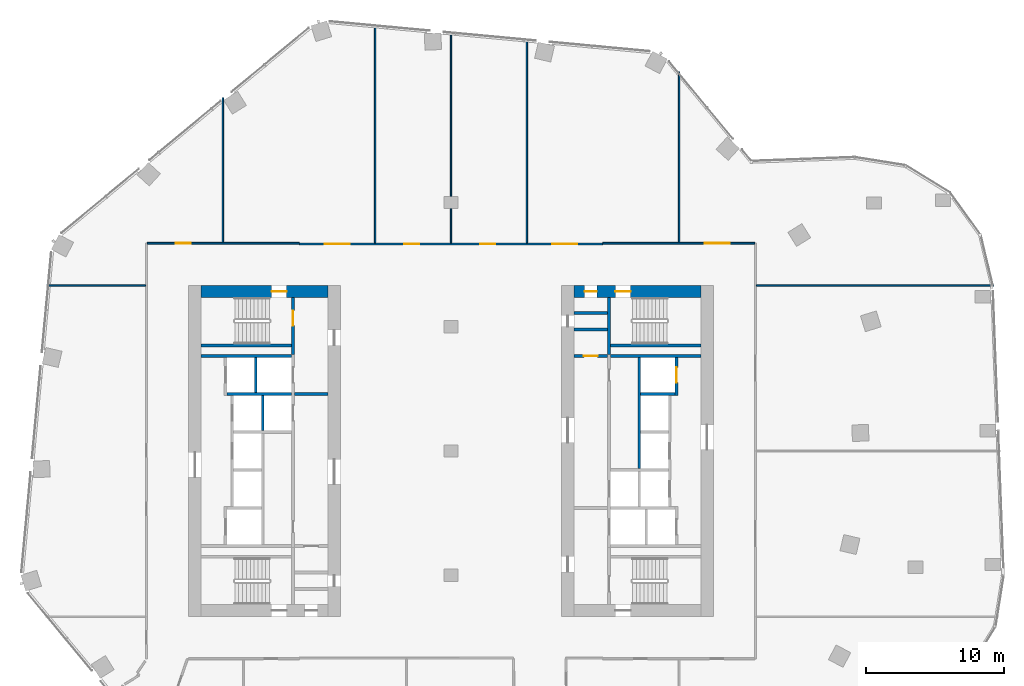
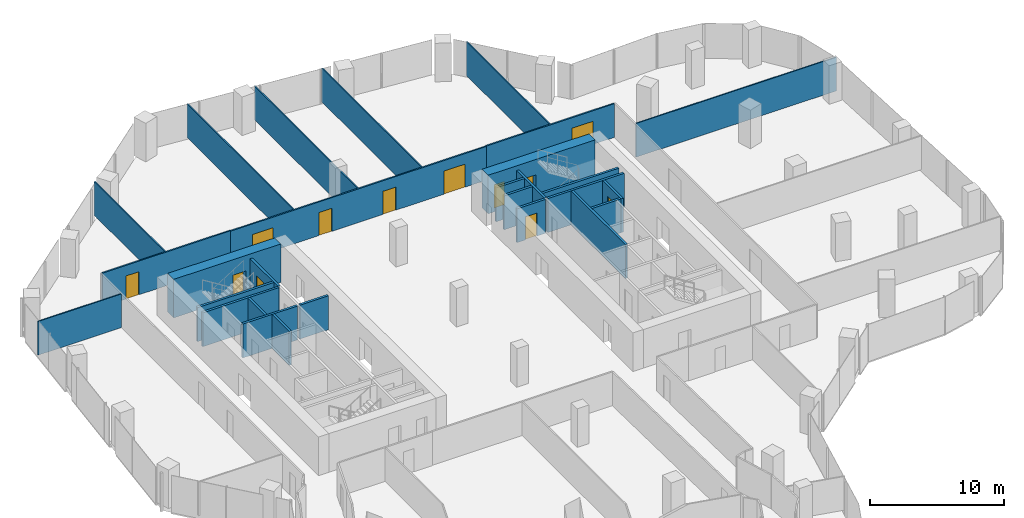
# One storey, part 22 of 24: 28 walls, 12 doors, 12 openings.
"""IFC4 building model written with IfcOpenShell, lengths in metres."""

from ifc_helpers import new_model, si_unit, direction, frame, frame_2d, origin, place, context, subcontext, project, spatial, rectangle, extrude, material, layer, layer_set, type_object, element, fill, save


model = new_model("IFC4")

# Units and contexts
model_context = context("Model", 3, precision=1e-05, world=origin(), true_north=direction((0.0, 1.0)))
body_context = subcontext(model_context, "Body", "Model", "MODEL_VIEW")
ifc_project = project(units=[si_unit("LENGTHUNIT", "METRE"), si_unit("AREAUNIT", "SQUARE_METRE"), si_unit("VOLUMEUNIT", "CUBIC_METRE"), si_unit("PLANEANGLEUNIT", "RADIAN"), si_unit("MASSUNIT", "GRAM", prefix="KILO")], contexts=[model_context])

# Site, building, storey
site_placement = place(None, origin())
site = spatial("IfcSite", under=ifc_project, at=site_placement, CompositionType="ELEMENT")
building_placement = place(site_placement, origin())
building = spatial("IfcBuilding", under=site, at=building_placement, Name="Orlundy Tower", CompositionType="ELEMENT")
storey_placement = place(building_placement, frame((0.0, 0.0, 177.60009765625)))
storey = spatial("IfcBuildingStorey", under=building, at=storey_placement, Name="L46", CompositionType="ELEMENT", Elevation=177.60009765625)

# Wall, opening, door
ifc_material_1 = material(Name="Concrete C70/85", Category="concrete")
ifc_layer_1 = layer(ifc_material_1, 0.89990234375)
ifc_layer_set_1 = layer_set([ifc_layer_1], Name="CORE WALL 900 C70/85")
wall_type_1 = type_object("IfcWallType", Name="CORE WALL 900 C70/85", PredefinedType="SHEAR", material=ifc_layer_set_1)
wall_1_placement = place(storey_placement, frame((-18.10009765625, 11.550048828125, 0.0), z_axis=(0.0, 0.0, 1.0), x_axis=(1.0, 0.0, 0.0)))
wall_1 = element("IfcWall", 1, at=wall_1_placement, inside=storey, type_object=wall_type_1, Name="Core wall W-N L46", PredefinedType="SHEAR", context=body_context, shape_type="SweptSolid", body=[
    extrude(rectangle(XDim=9.2001953125, YDim=0.89990234375, at=frame_2d((4.60009765625, 0.0))), origin(), (0.0, 0.0, 1.0), 3.5),
])
opening_1_placement = place(wall_1_placement, frame((5.10009765625, 0.0, 0.0)))
opening_1 = element("IfcOpeningElement", 2, at=opening_1_placement, cuts=wall_1, Name="Opening 35011", PredefinedType="OPENING", context=body_context, shape_type="SweptSolid", body=[
    extrude(rectangle(XDim=1.10009765625, YDim=2.10009765625, at=frame_2d((0.550048828125, 1.050048828125))), frame((0.0, 0.4599609375, 0.0), z_axis=(0.0, -1.0, 0.0), x_axis=(1.0, 0.0, 0.0)), (0.0, 0.0, 1.0), 0.919921875),
])
ifc_material_2 = material(Name="Steel door set", Category="steel")
door_type_1 = type_object("IfcDoorType", Name="Stair Door 1100x2100", OperationType="SINGLE_SWING_LEFT", PredefinedType="DOOR", material=ifc_material_2)
door_1_placement = place(opening_1_placement, origin())
door_1 = element("IfcDoor", 3, at=door_1_placement, inside=storey, type_object=door_type_1, Name="Stair door 35011", OperationType="SINGLE_SWING_RIGHT", OverallHeight=2.10009765625, OverallWidth=1.10009765625, PredefinedType="DOOR", context=body_context, shape_type="SweptSolid", body=[
    extrude(rectangle(XDim=1.10009765625, YDim=2.10009765625, at=frame_2d((0.550048828125, 1.050048828125))), frame((0.0, 0.02490234375, 0.0), z_axis=(0.0, -1.0, 0.0), x_axis=(1.0, 0.0, 0.0)), (0.0, 0.0, 1.0), 0.050048828125),
])
fill(opening_1, door_1)

# Wall, openings, doors
wall_2_placement = place(storey_placement, frame((8.89990234375, 11.550048828125, 0.0), z_axis=(0.0, 0.0, 1.0), x_axis=(1.0, 0.0, 0.0)))
wall_2 = element("IfcWall", 4, at=wall_2_placement, inside=storey, type_object=wall_type_1, Name="Core wall E-N L46", PredefinedType="SHEAR", context=body_context, shape_type="SweptSolid", body=[
    extrude(rectangle(XDim=9.2001953125, YDim=0.89990234375, at=frame_2d((4.60009765625, 0.0))), origin(), (0.0, 0.0, 1.0), 3.5),
])
opening_2_placement = place(wall_2_placement, frame((3.0, 0.0, 0.0)))
opening_2 = element("IfcOpeningElement", 5, at=opening_2_placement, cuts=wall_2, Name="Opening 35061", PredefinedType="OPENING", context=body_context, shape_type="SweptSolid", body=[
    extrude(rectangle(XDim=1.10009765625, YDim=2.10009765625, at=frame_2d((0.550048828125, 1.050048828125))), frame((0.0, 0.4599609375, 0.0), z_axis=(0.0, -1.0, 0.0), x_axis=(1.0, 0.0, 0.0)), (0.0, 0.0, 1.0), 0.919921875),
])
opening_3_placement = place(wall_2_placement, frame((0.77001953125, 0.0, 0.0)))
opening_3 = element("IfcOpeningElement", 6, at=opening_3_placement, cuts=wall_2, Name="Opening 35063", PredefinedType="OPENING", context=body_context, shape_type="SweptSolid", body=[
    extrude(rectangle(XDim=0.89990234375, YDim=2.10009765625, at=frame_2d((0.449951171875, 1.050048828125))), frame((0.0, 0.4599609375, 0.0), z_axis=(0.0, -1.0, 0.0), x_axis=(1.0, 0.0, 0.0)), (0.0, 0.0, 1.0), 0.919921875),
])
ifc_material_3 = material(Name="Timber door set", Category="wood")
door_type_2 = type_object("IfcDoorType", Name="Room Door 900x2100", OperationType="SINGLE_SWING_LEFT", PredefinedType="DOOR", material=ifc_material_3)
door_2_placement = place(opening_3_placement, origin())
door_2 = element("IfcDoor", 7, at=door_2_placement, inside=storey, type_object=door_type_2, Name="Store door 35063", OperationType="SINGLE_SWING_LEFT", OverallHeight=2.10009765625, OverallWidth=0.89990234375, PredefinedType="DOOR", context=body_context, shape_type="SweptSolid", body=[
    extrude(rectangle(XDim=0.89990234375, YDim=2.10009765625, at=frame_2d((0.449951171875, 1.050048828125))), frame((0.0, 0.02490234375, 0.0), z_axis=(0.0, -1.0, 0.0), x_axis=(1.0, 0.0, 0.0)), (0.0, 0.0, 1.0), 0.050048828125),
])
fill(opening_3, door_2)
door_3_placement = place(opening_2_placement, origin())
door_3 = element("IfcDoor", 8, at=door_3_placement, inside=storey, type_object=door_type_1, Name="Stair door 35061", OperationType="SINGLE_SWING_LEFT", OverallHeight=2.10009765625, OverallWidth=1.10009765625, PredefinedType="DOOR", context=body_context, shape_type="SweptSolid", body=[
    extrude(rectangle(XDim=1.10009765625, YDim=2.10009765625, at=frame_2d((0.550048828125, 1.050048828125))), frame((0.0, 0.02490234375, 0.0), z_axis=(0.0, -1.0, 0.0), x_axis=(1.0, 0.0, 0.0)), (0.0, 0.0, 1.0), 0.050048828125),
])
fill(opening_2, door_3)

# Walls
ifc_material_4 = material(Name="Gypsum board partition")
ifc_layer_2 = layer(ifc_material_4, 0.10009765625)
ifc_layer_set_2 = layer_set([ifc_layer_2], Name="Floor partition 100")
wall_type_2 = type_object("IfcWallType", Name="Floor partition 100", PredefinedType="PARTITIONING", material=ifc_layer_set_2)
wall_3_placement = place(storey_placement, frame((-29.260986328125, 12.0, 0.0), z_axis=(0.0, 0.0, 1.0), x_axis=(1.0, 0.0, 0.0)))
element("IfcWall", 9, at=wall_3_placement, inside=storey, type_object=wall_type_2, Name="wall-int-L46-044", PredefinedType="PARTITIONING", context=body_context, shape_type="SweptSolid", body=[
    extrude(rectangle(XDim=7.14794921875, YDim=0.10009765625, at=frame_2d((3.573974609375, 0.0))), origin(), (0.0, 0.0, 1.0), 3.059814453125),
])
wall_4_placement = place(storey_placement, frame((22.113037109375, 12.0, 0.0), z_axis=(0.0, 0.0, 1.0), x_axis=(1.0, 0.0, 0.0)))
element("IfcWall", 10, at=wall_4_placement, inside=storey, type_object=wall_type_2, Name="wall-int-L46-045", PredefinedType="PARTITIONING", context=body_context, shape_type="SweptSolid", body=[
    extrude(rectangle(XDim=17.2119140625, YDim=0.10009765625, at=frame_2d((8.60595703125, 0.0))), origin(), (0.0, 0.0, 1.0), 3.059814453125),
])
wall_5_placement = place(storey_placement, frame((16.52099609375, 15.114013671875, 0.0), z_axis=(0.0, 0.0, 1.0), x_axis=(0.0, 1.0, 0.0)))
element("IfcWall", 11, at=wall_5_placement, inside=storey, type_object=wall_type_2, Name="wall-int-L46-072", PredefinedType="PARTITIONING", context=body_context, shape_type="SweptSolid", body=[
    extrude(rectangle(XDim=12.35205078125, YDim=0.10009765625, at=frame_2d((6.176025390625, 0.0))), origin(), (0.0, 0.0, 1.0), 3.059814453125),
])
wall_6_placement = place(storey_placement, frame((5.4951171875, 15.06298828125, 0.0), z_axis=(0.0, 0.0, 1.0), x_axis=(0.0, 1.0, 0.0)))
element("IfcWall", 12, at=wall_6_placement, inside=storey, type_object=wall_type_2, Name="wall-int-L46-074", PredefinedType="PARTITIONING", context=body_context, shape_type="SweptSolid", body=[
    extrude(rectangle(XDim=14.804931640625, YDim=0.10009765625, at=frame_2d((7.40234375, 0.0))), origin(), (0.0, 0.0, 1.0), 3.059814453125),
])
wall_7_placement = place(storey_placement, frame((0.0, 15.06298828125, 0.0), z_axis=(0.0, 0.0, 1.0), x_axis=(0.0, 1.0, 0.0)))
element("IfcWall", 13, at=wall_7_placement, inside=storey, type_object=wall_type_2, Name="wall-int-L46-076", PredefinedType="PARTITIONING", context=body_context, shape_type="SweptSolid", body=[
    extrude(rectangle(XDim=15.319091796875, YDim=0.10009765625, at=frame_2d((7.65966796875, 0.0))), origin(), (0.0, 0.0, 1.0), 3.059814453125),
])
wall_8_placement = place(storey_placement, frame((-5.4951171875, 15.06298828125, 0.0), z_axis=(0.0, 0.0, 1.0), x_axis=(0.0, 1.0, 0.0)))
element("IfcWall", 14, at=wall_8_placement, inside=storey, type_object=wall_type_2, Name="wall-int-L46-078", PredefinedType="PARTITIONING", context=body_context, shape_type="SweptSolid", body=[
    extrude(rectangle(XDim=15.83203125, YDim=0.10009765625, at=frame_2d((7.916015625, 0.0))), origin(), (0.0, 0.0, 1.0), 3.059814453125),
])
wall_9_placement = place(storey_placement, frame((-16.52001953125, 15.114013671875, 0.0), z_axis=(0.0, 0.0, 1.0), x_axis=(0.0, 1.0, 0.0)))
element("IfcWall", 15, at=wall_9_placement, inside=storey, type_object=wall_type_2, Name="wall-int-L46-081", PredefinedType="PARTITIONING", context=body_context, shape_type="SweptSolid", body=[
    extrude(rectangle(XDim=10.48388671875, YDim=0.10009765625, at=frame_2d((5.241943359375, 0.0))), origin(), (0.0, 0.0, 1.0), 3.059814453125),
])

# Wall, openings, doors
ifc_material_5 = material(Name="Gypsum board partition, double layer")
ifc_layer_3 = layer(ifc_material_5, 0.125)
ifc_layer_set_3 = layer_set([ifc_layer_3], Name="Floor partition 125")
wall_type_3 = type_object("IfcWallType", Name="Floor partition 125", PredefinedType="PARTITIONING", material=ifc_layer_set_3)
wall_10_placement = place(storey_placement, frame((-10.989990234375, 15.0009765625, 0.0), z_axis=(0.0, 0.0, 1.0), x_axis=(1.0, 0.0, 0.0)))
wall_10 = element("IfcWall", 16, at=wall_10_placement, inside=storey, type_object=wall_type_3, Name="wall-int-L46-046", PredefinedType="PARTITIONING", context=body_context, shape_type="SweptSolid", body=[
    extrude(rectangle(XDim=21.97998046875, YDim=0.125, at=frame_2d((10.989990234375, 0.0))), origin(), (0.0, 0.0, 1.0), 3.059814453125),
])
opening_4_placement = place(wall_10_placement, frame((18.3349609375, 0.0, 0.0)))
opening_4 = element("IfcOpeningElement", 17, at=opening_4_placement, cuts=wall_10, Name="Opening 35122", PredefinedType="OPENING", context=body_context, shape_type="SweptSolid", body=[
    extrude(rectangle(XDim=1.800048828125, YDim=2.10009765625, at=frame_2d((0.89990234375, 1.050048828125))), frame((0.0, 0.072509765625, 0.0), z_axis=(0.0, -1.0, 0.0), x_axis=(1.0, 0.0, 0.0)), (0.0, 0.0, 1.0), 0.14501953125),
])
opening_5_placement = place(wall_10_placement, frame((13.090087890625, 0.0, 0.0)))
opening_5 = element("IfcOpeningElement", 18, at=opening_5_placement, cuts=wall_10, Name="Opening 35123", PredefinedType="OPENING", context=body_context, shape_type="SweptSolid", body=[
    extrude(rectangle(XDim=1.10009765625, YDim=2.10009765625, at=frame_2d((0.550048828125, 1.050048828125))), frame((0.0, 0.072509765625, 0.0), z_axis=(0.0, -1.0, 0.0), x_axis=(1.0, 0.0, 0.0)), (0.0, 0.0, 1.0), 0.14501953125),
])
opening_6_placement = place(wall_10_placement, frame((7.594970703125, 0.0, 0.0)))
opening_6 = element("IfcOpeningElement", 19, at=opening_6_placement, cuts=wall_10, Name="Opening 35124", PredefinedType="OPENING", context=body_context, shape_type="SweptSolid", body=[
    extrude(rectangle(XDim=1.10009765625, YDim=2.10009765625, at=frame_2d((0.550048828125, 1.050048828125))), frame((0.0, 0.072509765625, 0.0), z_axis=(0.0, -1.0, 0.0), x_axis=(1.0, 0.0, 0.0)), (0.0, 0.0, 1.0), 0.14501953125),
])
opening_7_placement = place(wall_10_placement, frame((1.85009765625, 0.0, 0.0)))
opening_7 = element("IfcOpeningElement", 20, at=opening_7_placement, cuts=wall_10, Name="Opening 35125", PredefinedType="OPENING", context=body_context, shape_type="SweptSolid", body=[
    extrude(rectangle(XDim=1.800048828125, YDim=2.10009765625, at=frame_2d((0.89990234375, 1.050048828125))), frame((0.0, 0.072509765625, 0.0), z_axis=(0.0, -1.0, 0.0), x_axis=(1.0, 0.0, 0.0)), (0.0, 0.0, 1.0), 0.14501953125),
])
ifc_material_6 = material(Name="Timber door leaf", Category="wood")
door_type_3 = type_object("IfcDoorType", Name="Floor door double 1800 FD30S", OperationType="NOTDEFINED", PredefinedType="DOOR", material=ifc_material_6)
door_4_placement = place(opening_4_placement, origin())
door_4 = element("IfcDoor", 21, at=door_4_placement, inside=storey, type_object=door_type_3, Name="Door 35122", OperationType="DOUBLE_DOOR_SINGLE_SWING", OverallHeight=2.10009765625, OverallWidth=1.800048828125, PredefinedType="DOOR", context=body_context, shape_type="SweptSolid", body=[
    extrude(rectangle(XDim=1.800048828125, YDim=2.10009765625, at=frame_2d((0.89990234375, 1.050048828125))), frame((0.0, 0.02490234375, 0.0), z_axis=(0.0, -1.0, 0.0), x_axis=(1.0, 0.0, 0.0)), (0.0, 0.0, 1.0), 0.050048828125),
])
fill(opening_4, door_4)
door_5_placement = place(opening_7_placement, origin())
door_5 = element("IfcDoor", 22, at=door_5_placement, inside=storey, type_object=door_type_3, Name="Door 35125", OperationType="DOUBLE_DOOR_SINGLE_SWING", OverallHeight=2.10009765625, OverallWidth=1.800048828125, PredefinedType="DOOR", context=body_context, shape_type="SweptSolid", body=[
    extrude(rectangle(XDim=1.800048828125, YDim=2.10009765625, at=frame_2d((0.89990234375, 1.050048828125))), frame((0.0, 0.02490234375, 0.0), z_axis=(0.0, -1.0, 0.0), x_axis=(1.0, 0.0, 0.0)), (0.0, 0.0, 1.0), 0.050048828125),
])
fill(opening_7, door_5)
ifc_material_7 = material(Name="Timber door leaf", Category="wood")
door_type_4 = type_object("IfcDoorType", Name="Floor door xwide 1100 FD30S", OperationType="NOTDEFINED", PredefinedType="DOOR", material=ifc_material_7)
door_6_placement = place(opening_5_placement, origin())
door_6 = element("IfcDoor", 23, at=door_6_placement, inside=storey, type_object=door_type_4, Name="Door 35123", OperationType="SINGLE_SWING_RIGHT", OverallHeight=2.10009765625, OverallWidth=1.10009765625, PredefinedType="DOOR", context=body_context, shape_type="SweptSolid", body=[
    extrude(rectangle(XDim=1.10009765625, YDim=2.10009765625, at=frame_2d((0.550048828125, 1.050048828125))), frame((0.0, 0.02490234375, 0.0), z_axis=(0.0, -1.0, 0.0), x_axis=(1.0, 0.0, 0.0)), (0.0, 0.0, 1.0), 0.050048828125),
])
fill(opening_5, door_6)
door_7_placement = place(opening_6_placement, origin())
door_7 = element("IfcDoor", 24, at=door_7_placement, inside=storey, type_object=door_type_4, Name="Door 35124", OperationType="SINGLE_SWING_LEFT", OverallHeight=2.10009765625, OverallWidth=1.10009765625, PredefinedType="DOOR", context=body_context, shape_type="SweptSolid", body=[
    extrude(rectangle(XDim=1.10009765625, YDim=2.10009765625, at=frame_2d((0.550048828125, 1.050048828125))), frame((0.0, 0.02490234375, 0.0), z_axis=(0.0, -1.0, 0.0), x_axis=(1.0, 0.0, 0.0)), (0.0, 0.0, 1.0), 0.050048828125),
])
fill(opening_6, door_7)

# Wall, opening, door
wall_11_placement = place(storey_placement, frame((-21.988037109375, 15.051025390625, 0.0), z_axis=(0.0, 0.0, 1.0), x_axis=(1.0, 0.0, 0.0)))
wall_11 = element("IfcWall", 25, at=wall_11_placement, inside=storey, type_object=wall_type_3, Name="wall-int-L46-047", PredefinedType="PARTITIONING", context=body_context, shape_type="SweptSolid", body=[
    extrude(rectangle(XDim=10.9970703125, YDim=0.125, at=frame_2d((5.49853515625, 0.0))), origin(), (0.0, 0.0, 1.0), 3.059814453125),
])
opening_8_placement = place(wall_11_placement, frame((2.03759765625, 0.0, 0.0)))
opening_8 = element("IfcOpeningElement", 26, at=opening_8_placement, cuts=wall_11, Name="Opening 35126", PredefinedType="OPENING", context=body_context, shape_type="SweptSolid", body=[
    extrude(rectangle(XDim=1.10009765625, YDim=2.10009765625, at=frame_2d((0.550048828125, 1.050048828125))), frame((0.0, 0.072509765625, 0.0), z_axis=(0.0, -1.0, 0.0), x_axis=(1.0, 0.0, 0.0)), (0.0, 0.0, 1.0), 0.14501953125),
])
door_8_placement = place(opening_8_placement, origin())
door_8 = element("IfcDoor", 27, at=door_8_placement, inside=storey, type_object=door_type_4, Name="Door 35126", OperationType="SINGLE_SWING_LEFT", OverallHeight=2.10009765625, OverallWidth=1.10009765625, PredefinedType="DOOR", context=body_context, shape_type="SweptSolid", body=[
    extrude(rectangle(XDim=1.10009765625, YDim=2.10009765625, at=frame_2d((0.550048828125, 1.050048828125))), frame((0.0, 0.02490234375, 0.0), z_axis=(0.0, -1.0, 0.0), x_axis=(1.0, 0.0, 0.0)), (0.0, 0.0, 1.0), 0.050048828125),
])
fill(opening_8, door_8)

wall_12_placement = place(storey_placement, frame((10.990966796875, 15.051025390625, 0.0), z_axis=(0.0, 0.0, 1.0), x_axis=(1.0, 0.0, 0.0)))
wall_12 = element("IfcWall", 28, at=wall_12_placement, inside=storey, type_object=wall_type_3, Name="wall-int-L46-048", PredefinedType="PARTITIONING", context=body_context, shape_type="SweptSolid", body=[
    extrude(rectangle(XDim=10.9970703125, YDim=0.125, at=frame_2d((5.49853515625, 0.0))), origin(), (0.0, 0.0, 1.0), 3.059814453125),
])
opening_9_placement = place(wall_12_placement, frame((7.3798828125, 0.0, 0.0)))
opening_9 = element("IfcOpeningElement", 29, at=opening_9_placement, cuts=wall_12, Name="Opening 35121", PredefinedType="OPENING", context=body_context, shape_type="SweptSolid", body=[
    extrude(rectangle(XDim=1.800048828125, YDim=2.10009765625, at=frame_2d((0.89990234375, 1.050048828125))), frame((0.0, 0.072509765625, 0.0), z_axis=(0.0, -1.0, 0.0), x_axis=(1.0, 0.0, 0.0)), (0.0, 0.0, 1.0), 0.14501953125),
])
door_9_placement = place(opening_9_placement, origin())
door_9 = element("IfcDoor", 30, at=door_9_placement, inside=storey, type_object=door_type_3, Name="Door 35121", OperationType="DOUBLE_DOOR_SINGLE_SWING", OverallHeight=2.10009765625, OverallWidth=1.800048828125, PredefinedType="DOOR", context=body_context, shape_type="SweptSolid", body=[
    extrude(rectangle(XDim=1.800048828125, YDim=2.10009765625, at=frame_2d((0.89990234375, 1.050048828125))), frame((0.0, 0.02490234375, 0.0), z_axis=(0.0, -1.0, 0.0), x_axis=(1.0, 0.0, 0.0)), (0.0, 0.0, 1.0), 0.050048828125),
])
fill(opening_9, door_9)

ifc_material_8 = material(Name="Concrete C40/50", Category="concrete")
ifc_layer_4 = layer(ifc_material_8, 0.199951171875)
ifc_layer_set_4 = layer_set([ifc_layer_4], Name="Load-bearing Shaft Wall 200")
wall_type_4 = type_object("IfcWallType", Name="Load-bearing Shaft Wall 200", PredefinedType="SOLIDWALL", material=ifc_layer_set_4)
wall_13_placement = place(storey_placement, frame((-11.43994140625, 6.97509765625, 0.0), z_axis=(0.0, 0.0, 1.0), x_axis=(0.0, 1.0, 0.0)))
wall_13 = element("IfcWall", 31, at=wall_13_placement, inside=storey, type_object=wall_type_4, Name="Shaft wall W35-stair-end-n", PredefinedType="SOLIDWALL", context=body_context, shape_type="SweptSolid", body=[
    extrude(rectangle(XDim=4.125, YDim=0.199951171875, at=frame_2d((2.0625, 0.0))), origin(), (0.0, 0.0, 1.0), 3.079833984375),
])
opening_10_placement = place(wall_13_placement, frame((2.10009765625, 0.0, 0.0)))
opening_10 = element("IfcOpeningElement", 32, at=opening_10_placement, cuts=wall_13, Name="Opening 35013", PredefinedType="OPENING", context=body_context, shape_type="SweptSolid", body=[
    extrude(rectangle(XDim=1.10009765625, YDim=2.10009765625, at=frame_2d((0.550048828125, 1.050048828125))), frame((0.0, 0.110107421875, 0.0), z_axis=(0.0, -1.0, 0.0), x_axis=(1.0, 0.0, 0.0)), (0.0, 0.0, 1.0), 0.22021484375),
])
ifc_material_9 = material(Name="Steel door set", Category="steel")
door_type_5 = type_object("IfcDoorType", Name="Fire-fighting Lobby Door 1100x2100", OperationType="SINGLE_SWING_LEFT", PredefinedType="DOOR", material=ifc_material_9)
door_10_placement = place(opening_10_placement, origin())
door_10 = element("IfcDoor", 33, at=door_10_placement, inside=storey, type_object=door_type_5, Name="Fire-fighting lobby to stair door 35013", OperationType="SINGLE_SWING_RIGHT", OverallHeight=2.10009765625, OverallWidth=1.10009765625, PredefinedType="DOOR", context=body_context, shape_type="SweptSolid", body=[
    extrude(rectangle(XDim=1.10009765625, YDim=2.10009765625, at=frame_2d((0.550048828125, 1.050048828125))), frame((0.0, 0.02490234375, 0.0), z_axis=(0.0, -1.0, 0.0), x_axis=(1.0, 0.0, 0.0)), (0.0, 0.0, 1.0), 0.050048828125),
])
fill(opening_10, door_10)

# Walls
wall_14_placement = place(storey_placement, frame((-11.5400390625, 7.64990234375, 0.0), z_axis=(0.0, 0.0, 1.0), x_axis=(-1.0, 0.0, 0.0)))
element("IfcWall", 34, at=wall_14_placement, inside=storey, type_object=wall_type_4, Name="Shaft wall W35-stair-side-n", PredefinedType="SOLIDWALL", context=body_context, shape_type="SweptSolid", body=[
    extrude(rectangle(XDim=6.56005859375, YDim=0.199951171875, at=frame_2d((3.280029296875, 0.0))), origin(), (0.0, 0.0, 1.0), 3.079833984375),
])
wall_15_placement = place(storey_placement, frame((11.43994140625, 11.10009765625, 0.0), z_axis=(0.0, 0.0, 1.0), x_axis=(0.0, -1.0, 0.0)))
element("IfcWall", 35, at=wall_15_placement, inside=storey, type_object=wall_type_4, Name="Shaft wall E35-stair-end-s", PredefinedType="SOLIDWALL", context=body_context, shape_type="SweptSolid", body=[
    extrude(rectangle(XDim=4.125, YDim=0.199951171875, at=frame_2d((2.0625, 0.0))), origin(), (0.0, 0.0, 1.0), 3.079833984375),
])
wall_16_placement = place(storey_placement, frame((11.5400390625, 7.64990234375, 0.0), z_axis=(0.0, 0.0, 1.0), x_axis=(1.0, 0.0, 0.0)))
element("IfcWall", 36, at=wall_16_placement, inside=storey, type_object=wall_type_4, Name="Shaft wall E35-stair-side-s", PredefinedType="SOLIDWALL", context=body_context, shape_type="SweptSolid", body=[
    extrude(rectangle(XDim=6.56005859375, YDim=0.199951171875, at=frame_2d((3.280029296875, 0.0))), origin(), (0.0, 0.0, 1.0), 3.079833984375),
])
ifc_material_10 = material(Name="Gypsum board partition on steel studs", Category="steel")
ifc_layer_5 = layer(ifc_material_10, 0.199951171875)
ifc_layer_set_5 = layer_set([ifc_layer_5], Name="Partition 200")
wall_type_5 = type_object("IfcWallType", Name="Partition 200", PredefinedType="PARTITIONING", material=ifc_layer_set_5)
wall_17_placement = place(storey_placement, frame((-8.89990234375, 4.125, 0.0), z_axis=(0.0, 0.0, 1.0), x_axis=(-1.0, 0.0, 0.0)))
element("IfcWall", 37, at=wall_17_placement, inside=storey, type_object=wall_type_5, Name="Partition wall W35-lobby-n", PredefinedType="PARTITIONING", context=body_context, shape_type="SweptSolid", body=[
    extrude(rectangle(XDim=2.440185546875, YDim=0.199951171875, at=frame_2d((1.22021484375, 0.0))), origin(), (0.0, 0.0, 1.0), 3.079833984375),
])

# Wall, opening, door
wall_18_placement = place(storey_placement, frame((8.89990234375, 6.875, 0.0), z_axis=(0.0, 0.0, 1.0), x_axis=(1.0, 0.0, 0.0)))
wall_18 = element("IfcWall", 38, at=wall_18_placement, inside=storey, type_object=wall_type_5, Name="Partition wall E35-end-s", PredefinedType="PARTITIONING", context=body_context, shape_type="SweptSolid", body=[
    extrude(rectangle(XDim=2.440185546875, YDim=0.199951171875, at=frame_2d((1.22021484375, 0.0))), origin(), (0.0, 0.0, 1.0), 3.079833984375),
])
opening_11_placement = place(wall_18_placement, frame((0.719970703125, 0.0, 0.0)))
opening_11 = element("IfcOpeningElement", 39, at=opening_11_placement, cuts=wall_18, Name="Opening 35065", PredefinedType="OPENING", context=body_context, shape_type="SweptSolid", body=[
    extrude(rectangle(XDim=1.0, YDim=2.10009765625, at=frame_2d((0.5, 1.050048828125))), frame((0.0, 0.110107421875, 0.0), z_axis=(0.0, -1.0, 0.0), x_axis=(1.0, 0.0, 0.0)), (0.0, 0.0, 1.0), 0.22021484375),
])
ifc_material_11 = material(Name="Timber door set", Category="wood")
door_type_6 = type_object("IfcDoorType", Name="Accessible Door 1000x2100", OperationType="SINGLE_SWING_LEFT", PredefinedType="DOOR", material=ifc_material_11)
door_11_placement = place(opening_11_placement, origin())
door_11 = element("IfcDoor", 40, at=door_11_placement, inside=storey, type_object=door_type_6, Name="Accessible WC door 35065", OperationType="SINGLE_SWING_RIGHT", OverallHeight=2.10009765625, OverallWidth=1.0, PredefinedType="DOOR", context=body_context, shape_type="SweptSolid", body=[
    extrude(rectangle(XDim=1.0, YDim=2.10009765625, at=frame_2d((0.5, 1.050048828125))), frame((0.0, 0.02490234375, 0.0), z_axis=(0.0, -1.0, 0.0), x_axis=(1.0, 0.0, 0.0)), (0.0, 0.0, 1.0), 0.050048828125),
])
fill(opening_11, door_11)

# Walls
for number, where, z_axis, x_axis, name in (
    (41, (8.89990234375, 10.0, 0.0), (0.0, 0.0, 1.0), (1.0, 0.0, 0.0), "Partition wall E35-room-s0"),
    (42, (8.89990234375, 8.800048828125, 0.0), (0.0, 0.0, 1.0), (1.0, 0.0, 0.0), "Partition wall E35-room-s1"),
):
    element("IfcWall", number, at=place(storey_placement, frame(where, z_axis=z_axis, x_axis=x_axis)), inside=storey, type_object=wall_type_5, Name=name, PredefinedType="PARTITIONING", context=body_context, shape_type="SweptSolid", body=[
        extrude(rectangle(XDim=2.440185546875, YDim=0.199951171875, at=frame_2d((1.22021484375, 0.0))), origin(), (0.0, 0.0, 1.0), 3.079833984375),
    ])
ifc_material_12 = material(Name="Fire-rated blockwork shaft wall", Category="masonry")
ifc_layer_6 = layer(ifc_material_12, 0.199951171875)
ifc_layer_set_6 = layer_set([ifc_layer_6], Name="Shaft Wall 200")
wall_type_6 = type_object("IfcWallType", Name="Shaft Wall 200", PredefinedType="SOLIDWALL", material=ifc_layer_set_6)
wall_19_placement = place(storey_placement, frame((-11.5400390625, 6.875, 0.0), z_axis=(0.0, 0.0, 1.0), x_axis=(-1.0, 0.0, 0.0)))
element("IfcWall", 43, at=wall_19_placement, inside=storey, type_object=wall_type_6, Name="Shaft wall W35-zone-n", PredefinedType="SOLIDWALL", context=body_context, shape_type="SweptSolid", body=[
    extrude(rectangle(XDim=6.56005859375, YDim=0.199951171875, at=frame_2d((3.280029296875, 0.0))), origin(), (0.0, 0.0, 1.0), 3.079833984375),
])
wall_20_placement = place(storey_placement, frame((-11.5400390625, 4.125, 0.0), z_axis=(0.0, 0.0, 1.0), x_axis=(-1.0, 0.0, 0.0)))
element("IfcWall", 44, at=wall_20_placement, inside=storey, type_object=wall_type_6, Name="Shaft wall W35-cross+4.125", PredefinedType="SOLIDWALL", context=body_context, shape_type="SweptSolid", body=[
    extrude(rectangle(XDim=4.699951171875, YDim=0.199951171875, at=frame_2d((2.35009765625, 0.0))), origin(), (0.0, 0.0, 1.0), 3.079833984375),
])
for number, where, z_axis, x_axis, name in (
    (45, (-13.639892578125, 1.47509765625, 0.0), (0.0, 0.0, 1.0), (0.0, 1.0, 0.0), "Shaft wall W35-mid-a.1"),
    (46, (-14.139892578125, 4.22509765625, 0.0), (0.0, 0.0, 1.0), (0.0, 1.0, 0.0), "Shaft wall W35-mid-b"),
):
    element("IfcWall", number, at=place(storey_placement, frame(where, z_axis=z_axis, x_axis=x_axis)), inside=storey, type_object=wall_type_6, Name=name, PredefinedType="SOLIDWALL", context=body_context, shape_type="SweptSolid", body=[
        extrude(rectangle(XDim=2.5498046875, YDim=0.199951171875, at=frame_2d((1.27490234375, 0.0))), origin(), (0.0, 0.0, 1.0), 3.079833984375),
    ])
wall_21_placement = place(storey_placement, frame((11.5400390625, 6.875, 0.0), z_axis=(0.0, 0.0, 1.0), x_axis=(1.0, 0.0, 0.0)))
element("IfcWall", 47, at=wall_21_placement, inside=storey, type_object=wall_type_6, Name="Shaft wall E35-zone-s", PredefinedType="SOLIDWALL", context=body_context, shape_type="SweptSolid", body=[
    extrude(rectangle(XDim=6.56005859375, YDim=0.199951171875, at=frame_2d((3.280029296875, 0.0))), origin(), (0.0, 0.0, 1.0), 3.079833984375),
])
wall_22_placement = place(storey_placement, frame((13.739990234375, 4.125, 0.0), z_axis=(0.0, 0.0, 1.0), x_axis=(1.0, 0.0, 0.0)))
element("IfcWall", 48, at=wall_22_placement, inside=storey, type_object=wall_type_6, Name="Shaft wall E35-cross-4.125", PredefinedType="SOLIDWALL", context=body_context, shape_type="SweptSolid", body=[
    extrude(rectangle(XDim=2.5, YDim=0.199951171875, at=frame_2d((1.25, 0.0))), origin(), (0.0, 0.0, 1.0), 3.079833984375),
])
wall_23_placement = place(storey_placement, frame((13.639892578125, 6.77490234375, 0.0), z_axis=(0.0, 0.0, 1.0), x_axis=(0.0, -1.0, 0.0)))
element("IfcWall", 49, at=wall_23_placement, inside=storey, type_object=wall_type_6, Name="Shaft wall E35-mid-a", PredefinedType="SOLIDWALL", context=body_context, shape_type="SweptSolid", body=[
    extrude(rectangle(XDim=8.0498046875, YDim=0.199951171875, at=frame_2d((4.02490234375, 0.0))), origin(), (0.0, 0.0, 1.0), 3.079833984375),
])

# Wall, opening, door
wall_24_placement = place(storey_placement, frame((16.340087890625, 6.77490234375, 0.0), z_axis=(0.0, 0.0, 1.0), x_axis=(0.0, -1.0, 0.0)))
wall_24 = element("IfcWall", 50, at=wall_24_placement, inside=storey, type_object=wall_type_6, Name="Shaft wall E35-front-o-a", PredefinedType="SOLIDWALL", context=body_context, shape_type="SweptSolid", body=[
    extrude(rectangle(XDim=2.75, YDim=0.199951171875, at=frame_2d((1.375, 0.0))), origin(), (0.0, 0.0, 1.0), 3.079833984375),
])
opening_12_placement = place(wall_24_placement, frame((0.72509765625, 0.0, 0.0)))
opening_12 = element("IfcOpeningElement", 51, at=opening_12_placement, cuts=wall_24, Name="Opening 35050", PredefinedType="OPENING", context=body_context, shape_type="SweptSolid", body=[
    extrude(rectangle(XDim=1.10009765625, YDim=2.10009765625, at=frame_2d((0.550048828125, 1.050048828125))), frame((0.0, 0.110107421875, 0.0), z_axis=(0.0, -1.0, 0.0), x_axis=(1.0, 0.0, 0.0)), (0.0, 0.0, 1.0), 0.22021484375),
])
ifc_material_13 = material(Name="Steel door set", Category="steel")
door_type_7 = type_object("IfcDoorType", Name="Landing Door 1100x2100", OperationType="DOUBLE_DOOR_SLIDING", PredefinedType="DOOR", material=ifc_material_13)
door_12_placement = place(opening_12_placement, origin())
door_12 = element("IfcDoor", 52, at=door_12_placement, inside=storey, type_object=door_type_7, Name="Lift landing door LV-02 35050", OperationType="DOUBLE_DOOR_SLIDING", OverallHeight=2.10009765625, OverallWidth=1.10009765625, PredefinedType="DOOR", context=body_context, shape_type="SweptSolid", body=[
    extrude(rectangle(XDim=1.10009765625, YDim=2.10009765625, at=frame_2d((0.550048828125, 1.050048828125))), frame((0.0, 0.02490234375, 0.0), z_axis=(0.0, -1.0, 0.0), x_axis=(1.0, 0.0, 0.0)), (0.0, 0.0, 1.0), 0.050048828125),
])
fill(opening_12, door_12)

save(model, "model.ifc")
